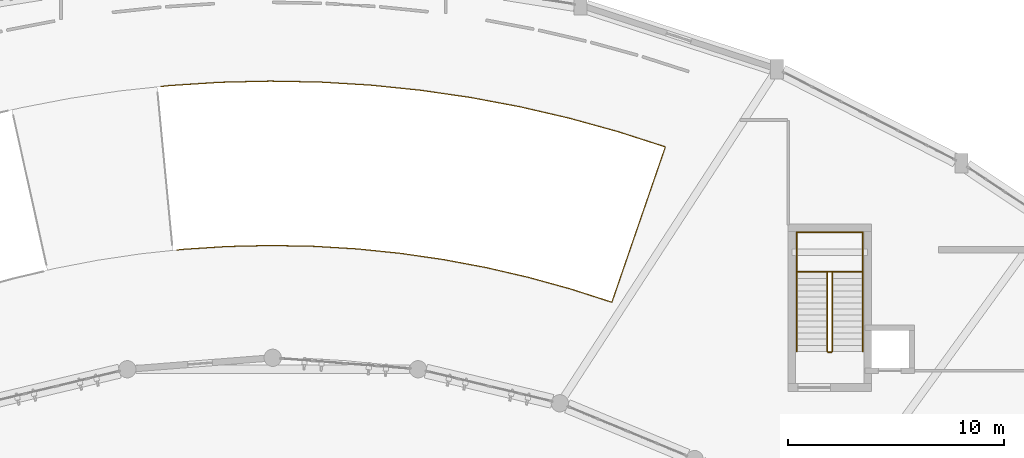
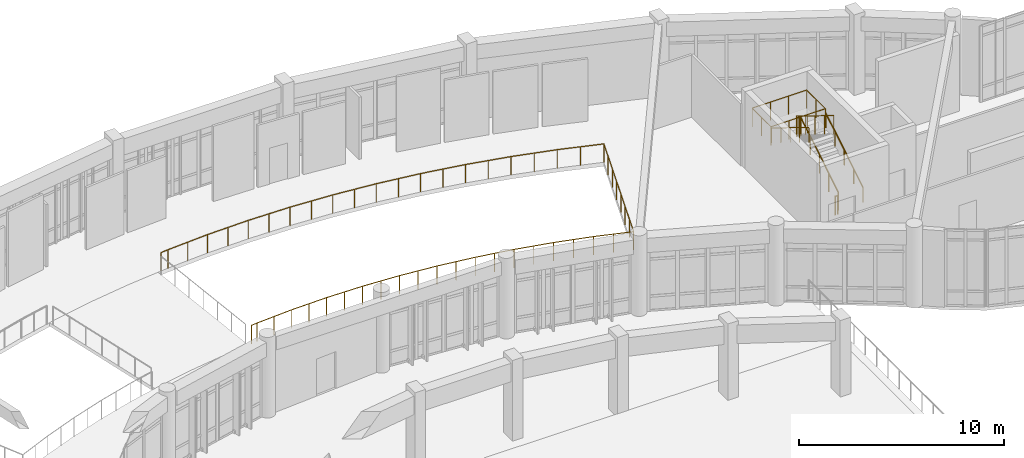
# One storey, part 62 of 65: 9 railings.
"""IFC4 building model written with IfcOpenShell, lengths in metres."""

from ifc_helpers import new_model, si_unit, direction, frame, origin, origin_2d, place, context, subcontext, project, spatial, circle, extrude, material, type_object, element, save


model = new_model("IFC4")

# Units and contexts
model_context = context("Model", 3, precision=1e-05, world=origin(), true_north=direction((0.0, 1.0)))
body_context = subcontext(model_context, "Body", "Model", "MODEL_VIEW")
ifc_project = project(units=[si_unit("LENGTHUNIT", "METRE"), si_unit("AREAUNIT", "SQUARE_METRE"), si_unit("VOLUMEUNIT", "CUBIC_METRE"), si_unit("PLANEANGLEUNIT", "RADIAN"), si_unit("MASSUNIT", "GRAM", prefix="KILO")], contexts=[model_context])

# Site, building, storey
site_placement = place(None, origin())
site = spatial("IfcSite", under=ifc_project, at=site_placement, CompositionType="ELEMENT")
building_placement = place(site_placement, origin())
building = spatial("IfcBuilding", under=site, at=building_placement, Name="Miralva Faculty of Natural Sciences", CompositionType="ELEMENT")
storey_placement = place(building_placement, frame((0.0, 0.0, 10.199951171875)))
storey = spatial("IfcBuildingStorey", under=building, at=storey_placement, Name="L02", CompositionType="ELEMENT", Elevation=10.199951171875)

# Railings
ifc_material_1 = material(Name="Steel S355", Category="steel")
railing_type_1 = type_object("IfcRailingType", Name="RL-GR01", PredefinedType="GUARDRAIL", material=ifc_material_1)
railing_1_placement = place(storey_placement, frame((115.89990234375, 22.300048828125, 0.17138671875)))
element("IfcRailing", 1, at=railing_1_placement, inside=storey, type_object=railing_type_1, Name="Stair Core C3 safety guard L02-1", PredefinedType="GUARDRAIL", context=body_context, shape_type="SweptSolid", body=[
    extrude(circle(Radius=0.02392578125, at=origin_2d()), frame((0.0, 0.0, 1.09619140625), z_axis=(0.0, 0.852824790078, 0.522197163366), x_axis=(-1.0, 0.0, 0.0)), (0.0, 0.0, 1.0), 4.26806640625),
    extrude(circle(Radius=0.02099609375, at=origin_2d()), origin(), (0.0, 0.0, 1.0), 1.072021484375),
    extrude(circle(Radius=0.02099609375, at=origin_2d()), frame((0.0, 0.909912109375, 0.55712890625)), (0.0, 0.0, 1.0), 1.072021484375),
    extrude(circle(Radius=0.02099609375, at=origin_2d()), frame((0.0, 1.81982421875, 1.1142578125)), (0.0, 0.0, 1.0), 1.072021484375),
    extrude(circle(Radius=0.02099609375, at=origin_2d()), frame((0.0, 2.72998046875, 1.671630859375)), (0.0, 0.0, 1.0), 1.072021484375),
    extrude(circle(Radius=0.02099609375, at=origin_2d()), frame((0.0, 3.639892578125, 2.228759765625)), (0.0, 0.0, 1.0), 1.072021484375),
])
railing_2_placement = place(storey_placement, frame((115.85009765625, 25.989990234375, 2.400146484375)))
element("IfcRailing", 2, at=railing_2_placement, inside=storey, type_object=railing_type_1, Name="Stair Core C3 safety guard L02-2", PredefinedType="GUARDRAIL", context=body_context, shape_type="SweptSolid", body=[
    extrude(circle(Radius=0.02392578125, at=origin_2d()), frame((0.0, 0.0, 1.09619140625), z_axis=(-1.0, 0.0, 0.0), x_axis=(0.0, -1.0, 0.0)), (0.0, 0.0, 1.0), 0.150146484375),
    extrude(circle(Radius=0.02099609375, at=origin_2d()), origin(), (0.0, 0.0, 1.0), 1.072021484375),
    extrude(circle(Radius=0.02099609375, at=origin_2d()), frame((-0.150146484375, 0.0, 0.0)), (0.0, 0.0, 1.0), 1.072021484375),
])
railing_3_placement = place(storey_placement, frame((115.64990234375, 25.93994140625, 2.571533203125)))
element("IfcRailing", 3, at=railing_3_placement, inside=storey, type_object=railing_type_1, Name="Stair Core C3 safety guard L02-3", PredefinedType="GUARDRAIL", context=body_context, shape_type="SweptSolid", body=[
    extrude(circle(Radius=0.02392578125, at=origin_2d()), frame((0.0, 0.0, 1.09619140625), z_axis=(0.0, -0.852850264322, 0.5221555579), x_axis=(1.0, 0.0, 0.0)), (0.0, 0.0, 1.0), 4.267822265625),
    extrude(circle(Radius=0.02099609375, at=origin_2d()), origin(), (0.0, 0.0, 1.0), 1.072021484375),
    extrude(circle(Radius=0.02099609375, at=origin_2d()), frame((0.0, -0.909912109375, 0.55712890625)), (0.0, 0.0, 1.0), 1.072021484375),
    extrude(circle(Radius=0.02099609375, at=origin_2d()), frame((0.0, -1.81982421875, 1.1142578125)), (0.0, 0.0, 1.0), 1.072021484375),
    extrude(circle(Radius=0.02099609375, at=origin_2d()), frame((0.0, -2.72998046875, 1.67138671875)), (0.0, 0.0, 1.0), 1.072021484375),
    extrude(circle(Radius=0.02099609375, at=origin_2d()), frame((0.0, -3.639892578125, 2.228515625)), (0.0, 0.0, 1.0), 1.072021484375),
])
railing_4_placement = place(storey_placement, frame((115.85009765625, 22.25, 0.0)))
element("IfcRailing", 4, at=railing_4_placement, inside=storey, type_object=railing_type_1, Name="Stair Core C3 safety guard L02-4", PredefinedType="GUARDRAIL", context=body_context, shape_type="SweptSolid", body=[
    extrude(circle(Radius=0.02392578125, at=origin_2d()), frame((0.0, 0.0, 1.09619140625), z_axis=(-1.0, 0.0, 0.0), x_axis=(0.0, -1.0, 0.0)), (0.0, 0.0, 1.0), 0.150146484375),
    extrude(circle(Radius=0.02099609375, at=origin_2d()), origin(), (0.0, 0.0, 1.0), 1.072021484375),
    extrude(circle(Radius=0.02099609375, at=origin_2d()), frame((-0.150146484375, 0.0, 0.0)), (0.0, 0.0, 1.0), 1.072021484375),
])
railing_5_placement = place(storey_placement, frame((114.239990234375, 25.97998046875, 2.400146484375)))
element("IfcRailing", 5, at=railing_5_placement, inside=storey, type_object=railing_type_1, Name="Stair Core C3 half-landing guard L02-1A", PredefinedType="GUARDRAIL", context=body_context, shape_type="SweptSolid", body=[
    extrude(circle(Radius=0.02392578125, at=origin_2d()), frame((0.0, 0.0, 1.09619140625), z_axis=(0.0, 1.0, 0.0), x_axis=(-1.0, 0.0, 0.0)), (0.0, 0.0, 1.0), 1.830078125),
    extrude(circle(Radius=0.02392578125, at=origin_2d()), frame((0.0, 1.830078125, 1.09619140625), z_axis=(1.0, 0.0, 0.0), x_axis=(0.0, 1.0, 0.0)), (0.0, 0.0, 1.0), 3.070068359375),
    extrude(circle(Radius=0.02099609375, at=origin_2d()), origin(), (0.0, 0.0, 1.0), 1.072021484375),
    extrude(circle(Radius=0.02099609375, at=origin_2d()), frame((0.0, 0.9150390625, 0.0)), (0.0, 0.0, 1.0), 1.072021484375),
    extrude(circle(Radius=0.02099609375, at=origin_2d()), frame((0.0, 1.830078125, 0.0)), (0.0, 0.0, 1.0), 1.072021484375),
    extrude(circle(Radius=0.02099609375, at=origin_2d()), frame((1.0234375, 1.830078125, 0.0)), (0.0, 0.0, 1.0), 1.072021484375),
    extrude(circle(Radius=0.02099609375, at=origin_2d()), frame((2.046630859375, 1.830078125, 0.0)), (0.0, 0.0, 1.0), 1.072021484375),
    extrude(circle(Radius=0.02099609375, at=origin_2d()), frame((3.070068359375, 1.830078125, 0.0)), (0.0, 0.0, 1.0), 1.072021484375),
])
railing_6_placement = place(storey_placement, frame((117.31005859375, 27.81005859375, 2.400146484375)))
element("IfcRailing", 6, at=railing_6_placement, inside=storey, type_object=railing_type_1, Name="Stair Core C3 half-landing guard L02-1B", PredefinedType="GUARDRAIL", context=body_context, shape_type="SweptSolid", body=[
    extrude(circle(Radius=0.02392578125, at=origin_2d()), frame((0.0, 0.0, 1.09619140625), z_axis=(0.0, -1.0, 0.0), x_axis=(1.0, 0.0, 0.0)), (0.0, 0.0, 1.0), 1.830078125),
    extrude(circle(Radius=0.02392578125, at=origin_2d()), frame((0.0, -1.830078125, 1.09619140625), z_axis=(-1.0, 0.0, 0.0), x_axis=(0.0, -1.0, 0.0)), (0.0, 0.0, 1.0), 3.070068359375),
    extrude(circle(Radius=0.02099609375, at=origin_2d()), origin(), (0.0, 0.0, 1.0), 1.072021484375),
    extrude(circle(Radius=0.02099609375, at=origin_2d()), frame((0.0, -0.9150390625, 0.0)), (0.0, 0.0, 1.0), 1.072021484375),
    extrude(circle(Radius=0.02099609375, at=origin_2d()), frame((0.0, -1.830078125, 0.0)), (0.0, 0.0, 1.0), 1.072021484375),
    extrude(circle(Radius=0.02099609375, at=origin_2d()), frame((-1.0234375, -1.830078125, 0.0)), (0.0, 0.0, 1.0), 1.072021484375),
    extrude(circle(Radius=0.02099609375, at=origin_2d()), frame((-2.046630859375, -1.830078125, 0.0)), (0.0, 0.0, 1.0), 1.072021484375),
    extrude(circle(Radius=0.02099609375, at=origin_2d()), frame((-3.070068359375, -1.830078125, 0.0)), (0.0, 0.0, 1.0), 1.072021484375),
])
ifc_material_2 = material(Name="White powder-coated steel balustrade", Category="steel")
railing_type_2 = type_object("IfcRailingType", Name="RL-GR02", PredefinedType="BALUSTRADE", material=ifc_material_2)
railing_7_placement = place(storey_placement, frame((84.83154296875, 34.552978515625, 0.0)))
element("IfcRailing", 7, at=railing_7_placement, inside=storey, type_object=railing_type_2, Name="Atrium curved white gallery balustrade L02-21", PredefinedType="BALUSTRADE", context=body_context, shape_type="SweptSolid", body=[
    extrude(circle(Radius=0.02392578125, at=origin_2d()), frame((0.0, 0.0, 1.09619140625), z_axis=(0.994382330638, 0.105847912191, 0.0), x_axis=(-0.105847912191, 0.994382330638, 0.0)), (0.0, 0.0, 1.0), 0.415283203125),
    extrude(circle(Radius=0.02392578125, at=origin_2d()), frame((0.412841796875, 0.0439453125, 1.09619140625), z_axis=(0.99792182747, 0.064436218537, 0.0), x_axis=(-0.064436218537, 0.99792182747, 0.0)), (0.0, 0.0, 1.0), 2.326416015625),
    extrude(circle(Radius=0.02392578125, at=origin_2d()), frame((2.734375, 0.19384765625, 1.09619140625), z_axis=(0.99974069661, 0.022771463332, 0.0), x_axis=(-0.022771463332, 0.99974069661, 0.0)), (0.0, 0.0, 1.0), 2.326416015625),
    extrude(circle(Radius=0.02392578125, at=origin_2d()), frame((5.060302734375, 0.246826171875, 1.09619140625), z_axis=(0.999821562377, -0.018890299279, 0.0), x_axis=(0.018890299279, 0.999821562377, 0.0)), (0.0, 0.0, 1.0), 2.326416015625),
    extrude(circle(Radius=0.02392578125, at=origin_2d()), frame((7.38623046875, 0.202880859375, 1.09619140625), z_axis=(0.998164846104, -0.060555264031, 0.0), x_axis=(0.060555264031, 0.998164846104, 0.0)), (0.0, 0.0, 1.0), 2.326171875),
    extrude(circle(Radius=0.02392578125, at=origin_2d()), frame((9.708251953125, 0.06201171875, 1.09619140625), z_axis=(0.994772968582, -0.102111414541, 0.0), x_axis=(0.102111414541, 0.994772968582, 0.0)), (0.0, 0.0, 1.0), 2.326416015625),
    extrude(circle(Radius=0.02392578125, at=origin_2d()), frame((12.0224609375, -0.175537109375, 1.09619140625), z_axis=(0.989655632774, -0.143463335101, 0.0), x_axis=(0.143463335101, 0.989655632774, 0.0)), (0.0, 0.0, 1.0), 2.326416015625),
    extrude(circle(Radius=0.02392578125, at=origin_2d()), frame((14.32470703125, -0.50927734375, 1.09619140625), z_axis=(0.982813922885, -0.184599005911, 0.0), x_axis=(0.184599005911, 0.982813922885, 0.0)), (0.0, 0.0, 1.0), 2.326416015625),
    extrude(circle(Radius=0.02392578125, at=origin_2d()), frame((16.611083984375, -0.938720703125, 1.09619140625), z_axis=(0.974235308545, -0.225533952177, 0.0), x_axis=(0.225533952177, 0.974235308545, 0.0)), (0.0, 0.0, 1.0), 2.326171875),
    extrude(circle(Radius=0.02392578125, at=origin_2d()), frame((18.87744140625, -1.46337890625, 1.09619140625), z_axis=(0.964028785432, -0.265797857135, 0.0), x_axis=(0.265797857135, 0.964028785432, 0.0)), (0.0, 0.0, 1.0), 2.32666015625),
    extrude(circle(Radius=0.02392578125, at=origin_2d()), frame((21.120361328125, -2.081787109375, 1.09619140625), z_axis=(0.952120244936, -0.30572379558, 0.0), x_axis=(0.30572379558, 0.952120244936, 0.0)), (0.0, 0.0, 1.0), 2.326171875),
    extrude(circle(Radius=0.02392578125, at=origin_2d()), frame((23.335205078125, -2.79296875, 1.09619140625), z_axis=(-0.325569907155, -0.945517972095, 0.0), x_axis=(0.945517972095, -0.325569907155, 0.0)), (0.0, 0.0, 1.0), 7.60009765625),
    extrude(circle(Radius=0.02392578125, at=origin_2d()), frame((20.86083984375, -9.97900390625, 1.09619140625), z_axis=(-0.952100584939, 0.305785016242, 0.0), x_axis=(-0.305785016242, -0.952100584939, 0.0)), (0.0, 0.0, 1.0), 2.009521484375),
    extrude(circle(Radius=0.02392578125, at=origin_2d()), frame((18.947509765625, -9.364501953125, 1.09619140625), z_axis=(-0.964022682482, 0.265819991086, 0.0), x_axis=(-0.265819991086, -0.964022682482, 0.0)), (0.0, 0.0, 1.0), 2.009521484375),
    extrude(circle(Radius=0.02392578125, at=origin_2d()), frame((17.01025390625, -8.830322265625, 1.09619140625), z_axis=(-0.974239432549, 0.225516137043, 0.0), x_axis=(-0.225516137043, -0.974239432549, 0.0)), (0.0, 0.0, 1.0), 2.00927734375),
    extrude(circle(Radius=0.02392578125, at=origin_2d()), frame((15.052734375, -8.377197265625, 1.09619140625), z_axis=(-0.982825394472, 0.184537920173, 0.0), x_axis=(-0.184537920173, -0.982825394472, 0.0)), (0.0, 0.0, 1.0), 2.009521484375),
    extrude(circle(Radius=0.02392578125, at=origin_2d()), frame((13.07763671875, -8.00634765625, 1.09619140625), z_axis=(-0.989653349856, 0.143479082516, 0.0), x_axis=(-0.143479082516, -0.989653349856, 0.0)), (0.0, 0.0, 1.0), 2.009521484375),
    extrude(circle(Radius=0.02392578125, at=origin_2d()), frame((11.0888671875, -7.718017578125, 1.09619140625), z_axis=(-0.994766567768, 0.102173752259, 0.0), x_axis=(-0.102173752259, -0.994766567768, 0.0)), (0.0, 0.0, 1.0), 2.009521484375),
    extrude(circle(Radius=0.02392578125, at=origin_2d()), frame((9.08984375, -7.5126953125, 1.09619140625), z_axis=(-0.998167607188, 0.060509734435, 0.0), x_axis=(-0.060509734435, -0.998167607188, 0.0)), (0.0, 0.0, 1.0), 2.00927734375),
    extrude(circle(Radius=0.02392578125, at=origin_2d()), frame((7.084228515625, -7.39111328125, 1.09619140625), z_axis=(-0.999820401576, 0.018951638232, 0.0), x_axis=(-0.018951638232, -0.999820401576, 0.0)), (0.0, 0.0, 1.0), 2.009521484375),
    extrude(circle(Radius=0.02392578125, at=origin_2d()), frame((5.074951171875, -7.35302734375, 1.09619140625), z_axis=(-0.999739131518, -0.022840072515, 0.0), x_axis=(0.022840072515, -0.999739131518, 0.0)), (0.0, 0.0, 1.0), 2.009521484375),
    extrude(circle(Radius=0.02392578125, at=origin_2d()), frame((3.06591796875, -7.39892578125, 1.09619140625), z_axis=(-0.997924805349, -0.064390083618, 0.0), x_axis=(0.064390083618, -0.997924805349, 0.0)), (0.0, 0.0, 1.0), 2.009521484375),
    extrude(circle(Radius=0.02392578125, at=origin_2d()), frame((1.060546875, -7.5283203125, 1.09619140625), z_axis=(-0.994364340184, -0.10601678627, 0.0), x_axis=(0.10601678627, -0.994364340184, 0.0)), (0.0, 0.0, 1.0), 0.333984375),
    extrude(circle(Radius=0.02099609375, at=origin_2d()), origin(), (0.0, 0.0, 1.0), 1.072021484375),
    extrude(circle(Radius=0.02099609375, at=origin_2d()), frame((0.412841796875, 0.0439453125, 0.0)), (0.0, 0.0, 1.0), 1.072021484375),
    extrude(circle(Radius=0.02099609375, at=origin_2d()), frame((1.57373046875, 0.118896484375, 0.0)), (0.0, 0.0, 1.0), 1.072021484375),
    extrude(circle(Radius=0.02099609375, at=origin_2d()), frame((2.734375, 0.19384765625, 0.0)), (0.0, 0.0, 1.0), 1.072021484375),
    extrude(circle(Radius=0.02099609375, at=origin_2d()), frame((3.8974609375, 0.22021484375, 0.0)), (0.0, 0.0, 1.0), 1.072021484375),
    extrude(circle(Radius=0.02099609375, at=origin_2d()), frame((5.060302734375, 0.246826171875, 0.0)), (0.0, 0.0, 1.0), 1.072021484375),
    extrude(circle(Radius=0.02099609375, at=origin_2d()), frame((6.22314453125, 0.224853515625, 0.0)), (0.0, 0.0, 1.0), 1.072021484375),
    extrude(circle(Radius=0.02099609375, at=origin_2d()), frame((7.38623046875, 0.202880859375, 0.0)), (0.0, 0.0, 1.0), 1.072021484375),
    extrude(circle(Radius=0.02099609375, at=origin_2d()), frame((8.54736328125, 0.13232421875, 0.0)), (0.0, 0.0, 1.0), 1.072021484375),
    extrude(circle(Radius=0.02099609375, at=origin_2d()), frame((9.708251953125, 0.06201171875, 0.0)), (0.0, 0.0, 1.0), 1.072021484375),
    extrude(circle(Radius=0.02099609375, at=origin_2d()), frame((10.865234375, -0.056640625, 0.0)), (0.0, 0.0, 1.0), 1.072021484375),
    extrude(circle(Radius=0.02099609375, at=origin_2d()), frame((12.0224609375, -0.175537109375, 0.0)), (0.0, 0.0, 1.0), 1.072021484375),
    extrude(circle(Radius=0.02099609375, at=origin_2d()), frame((13.173583984375, -0.34228515625, 0.0)), (0.0, 0.0, 1.0), 1.072021484375),
    extrude(circle(Radius=0.02099609375, at=origin_2d()), frame((14.32470703125, -0.50927734375, 0.0)), (0.0, 0.0, 1.0), 1.072021484375),
    extrude(circle(Radius=0.02099609375, at=origin_2d()), frame((15.4677734375, -0.72412109375, 0.0)), (0.0, 0.0, 1.0), 1.072021484375),
    extrude(circle(Radius=0.02099609375, at=origin_2d()), frame((16.611083984375, -0.938720703125, 0.0)), (0.0, 0.0, 1.0), 1.072021484375),
    extrude(circle(Radius=0.02099609375, at=origin_2d()), frame((17.744140625, -1.201171875, 0.0)), (0.0, 0.0, 1.0), 1.072021484375),
    extrude(circle(Radius=0.02099609375, at=origin_2d()), frame((18.87744140625, -1.46337890625, 0.0)), (0.0, 0.0, 1.0), 1.072021484375),
    extrude(circle(Radius=0.02099609375, at=origin_2d()), frame((19.9990234375, -1.7724609375, 0.0)), (0.0, 0.0, 1.0), 1.072021484375),
    extrude(circle(Radius=0.02099609375, at=origin_2d()), frame((21.120361328125, -2.081787109375, 0.0)), (0.0, 0.0, 1.0), 1.072021484375),
    extrude(circle(Radius=0.02099609375, at=origin_2d()), frame((22.227783203125, -2.4375, 0.0)), (0.0, 0.0, 1.0), 1.072021484375),
    extrude(circle(Radius=0.02099609375, at=origin_2d()), frame((23.335205078125, -2.79296875, 0.0)), (0.0, 0.0, 1.0), 1.072021484375),
    extrude(circle(Radius=0.02099609375, at=origin_2d()), frame((22.981689453125, -3.819580078125, 0.0)), (0.0, 0.0, 1.0), 1.072021484375),
    extrude(circle(Radius=0.02099609375, at=origin_2d()), frame((22.628173828125, -4.84619140625, 0.0)), (0.0, 0.0, 1.0), 1.072021484375),
    extrude(circle(Radius=0.02099609375, at=origin_2d()), frame((22.274658203125, -5.872802734375, 0.0)), (0.0, 0.0, 1.0), 1.072021484375),
    extrude(circle(Radius=0.02099609375, at=origin_2d()), frame((21.92138671875, -6.899169921875, 0.0)), (0.0, 0.0, 1.0), 1.072021484375),
    extrude(circle(Radius=0.02099609375, at=origin_2d()), frame((21.56787109375, -7.92578125, 0.0)), (0.0, 0.0, 1.0), 1.072021484375),
    extrude(circle(Radius=0.02099609375, at=origin_2d()), frame((21.21435546875, -8.952392578125, 0.0)), (0.0, 0.0, 1.0), 1.072021484375),
    extrude(circle(Radius=0.02099609375, at=origin_2d()), frame((20.86083984375, -9.97900390625, 0.0)), (0.0, 0.0, 1.0), 1.072021484375),
    extrude(circle(Radius=0.02099609375, at=origin_2d()), frame((19.904296875, -9.671875, 0.0)), (0.0, 0.0, 1.0), 1.072021484375),
    extrude(circle(Radius=0.02099609375, at=origin_2d()), frame((18.947509765625, -9.364501953125, 0.0)), (0.0, 0.0, 1.0), 1.072021484375),
    extrude(circle(Radius=0.02099609375, at=origin_2d()), frame((17.97900390625, -9.097412109375, 0.0)), (0.0, 0.0, 1.0), 1.072021484375),
    extrude(circle(Radius=0.02099609375, at=origin_2d()), frame((17.01025390625, -8.830322265625, 0.0)), (0.0, 0.0, 1.0), 1.072021484375),
    extrude(circle(Radius=0.02099609375, at=origin_2d()), frame((16.031494140625, -8.603759765625, 0.0)), (0.0, 0.0, 1.0), 1.072021484375),
    extrude(circle(Radius=0.02099609375, at=origin_2d()), frame((15.052734375, -8.377197265625, 0.0)), (0.0, 0.0, 1.0), 1.072021484375),
    extrude(circle(Radius=0.02099609375, at=origin_2d()), frame((14.065185546875, -8.19189453125, 0.0)), (0.0, 0.0, 1.0), 1.072021484375),
    extrude(circle(Radius=0.02099609375, at=origin_2d()), frame((13.07763671875, -8.00634765625, 0.0)), (0.0, 0.0, 1.0), 1.072021484375),
    extrude(circle(Radius=0.02099609375, at=origin_2d()), frame((12.083251953125, -7.8623046875, 0.0)), (0.0, 0.0, 1.0), 1.072021484375),
    extrude(circle(Radius=0.02099609375, at=origin_2d()), frame((11.0888671875, -7.718017578125, 0.0)), (0.0, 0.0, 1.0), 1.072021484375),
    extrude(circle(Radius=0.02099609375, at=origin_2d()), frame((10.08935546875, -7.615234375, 0.0)), (0.0, 0.0, 1.0), 1.072021484375),
    extrude(circle(Radius=0.02099609375, at=origin_2d()), frame((9.08984375, -7.5126953125, 0.0)), (0.0, 0.0, 1.0), 1.072021484375),
    extrude(circle(Radius=0.02099609375, at=origin_2d()), frame((8.0869140625, -7.451904296875, 0.0)), (0.0, 0.0, 1.0), 1.072021484375),
    extrude(circle(Radius=0.02099609375, at=origin_2d()), frame((7.084228515625, -7.39111328125, 0.0)), (0.0, 0.0, 1.0), 1.072021484375),
    extrude(circle(Radius=0.02099609375, at=origin_2d()), frame((6.07958984375, -7.3720703125, 0.0)), (0.0, 0.0, 1.0), 1.072021484375),
    extrude(circle(Radius=0.02099609375, at=origin_2d()), frame((5.074951171875, -7.35302734375, 0.0)), (0.0, 0.0, 1.0), 1.072021484375),
    extrude(circle(Radius=0.02099609375, at=origin_2d()), frame((4.0703125, -7.3759765625, 0.0)), (0.0, 0.0, 1.0), 1.072021484375),
    extrude(circle(Radius=0.02099609375, at=origin_2d()), frame((3.06591796875, -7.39892578125, 0.0)), (0.0, 0.0, 1.0), 1.072021484375),
    extrude(circle(Radius=0.02099609375, at=origin_2d()), frame((2.063232421875, -7.463623046875, 0.0)), (0.0, 0.0, 1.0), 1.072021484375),
    extrude(circle(Radius=0.02099609375, at=origin_2d()), frame((1.060546875, -7.5283203125, 0.0)), (0.0, 0.0, 1.0), 1.072021484375),
    extrude(circle(Radius=0.02099609375, at=origin_2d()), frame((0.728515625, -7.563720703125, 0.0)), (0.0, 0.0, 1.0), 1.072021484375),
])
railing_type_3 = type_object("IfcRailingType", Name="RL-HR01", PredefinedType="HANDRAIL", material=ifc_material_1)
railing_8_placement = place(storey_placement, frame((117.300048828125, 22.300048828125, 0.17138671875)))
element("IfcRailing", 8, at=railing_8_placement, inside=storey, type_object=railing_type_3, Name="Stair Core C3 handrail L02-1", PredefinedType="HANDRAIL", context=body_context, shape_type="SweptSolid", body=[
    extrude(circle(Radius=0.02392578125, at=origin_2d()), frame((0.0, 0.0, 0.8759765625), z_axis=(0.0, 0.852824790078, 0.522197163366), x_axis=(-1.0, 0.0, 0.0)), (0.0, 0.0, 1.0), 4.26806640625),
    extrude(circle(Radius=0.02099609375, at=origin_2d()), origin(), (0.0, 0.0, 1.0), 0.851806640625),
    extrude(circle(Radius=0.02099609375, at=origin_2d()), frame((0.0, 0.909912109375, 0.55712890625)), (0.0, 0.0, 1.0), 0.851806640625),
    extrude(circle(Radius=0.02099609375, at=origin_2d()), frame((0.0, 1.81982421875, 1.1142578125)), (0.0, 0.0, 1.0), 0.851806640625),
    extrude(circle(Radius=0.02099609375, at=origin_2d()), frame((0.0, 2.72998046875, 1.671630859375)), (0.0, 0.0, 1.0), 0.851806640625),
    extrude(circle(Radius=0.02099609375, at=origin_2d()), frame((0.0, 3.639892578125, 2.228759765625)), (0.0, 0.0, 1.0), 0.851806640625),
])
railing_9_placement = place(storey_placement, frame((114.25, 25.93994140625, 2.571533203125)))
element("IfcRailing", 9, at=railing_9_placement, inside=storey, type_object=railing_type_3, Name="Stair Core C3 handrail L02-2", PredefinedType="HANDRAIL", context=body_context, shape_type="SweptSolid", body=[
    extrude(circle(Radius=0.02392578125, at=origin_2d()), frame((0.0, 0.0, 0.8759765625), z_axis=(0.0, -0.852850264322, 0.5221555579), x_axis=(1.0, 0.0, 0.0)), (0.0, 0.0, 1.0), 4.267822265625),
    extrude(circle(Radius=0.02099609375, at=origin_2d()), origin(), (0.0, 0.0, 1.0), 0.851806640625),
    extrude(circle(Radius=0.02099609375, at=origin_2d()), frame((0.0, -0.909912109375, 0.55712890625)), (0.0, 0.0, 1.0), 0.851806640625),
    extrude(circle(Radius=0.02099609375, at=origin_2d()), frame((0.0, -1.81982421875, 1.1142578125)), (0.0, 0.0, 1.0), 0.851806640625),
    extrude(circle(Radius=0.02099609375, at=origin_2d()), frame((0.0, -2.72998046875, 1.67138671875)), (0.0, 0.0, 1.0), 0.851806640625),
    extrude(circle(Radius=0.02099609375, at=origin_2d()), frame((0.0, -3.639892578125, 2.228515625)), (0.0, 0.0, 1.0), 0.851806640625),
])

save(model, "model.ifc")
